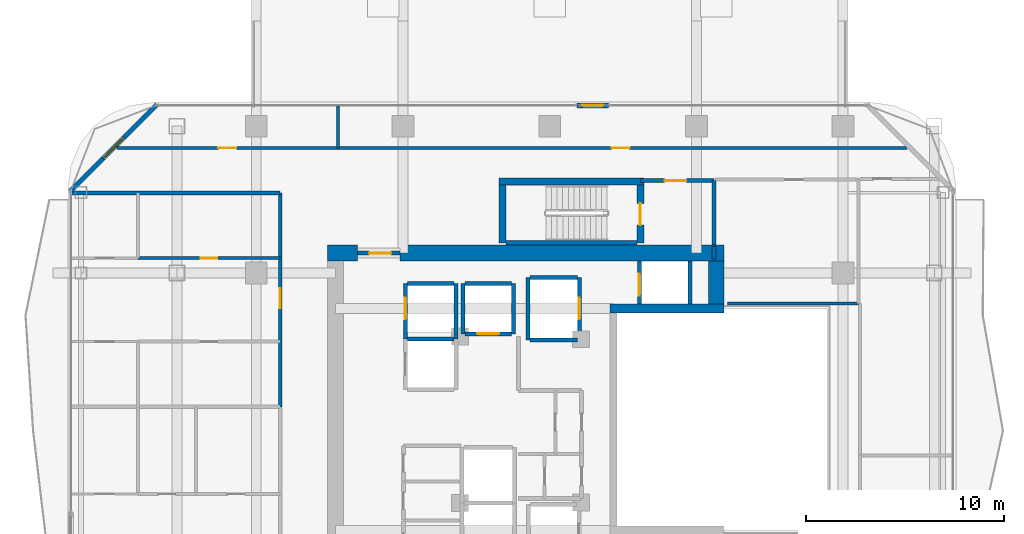
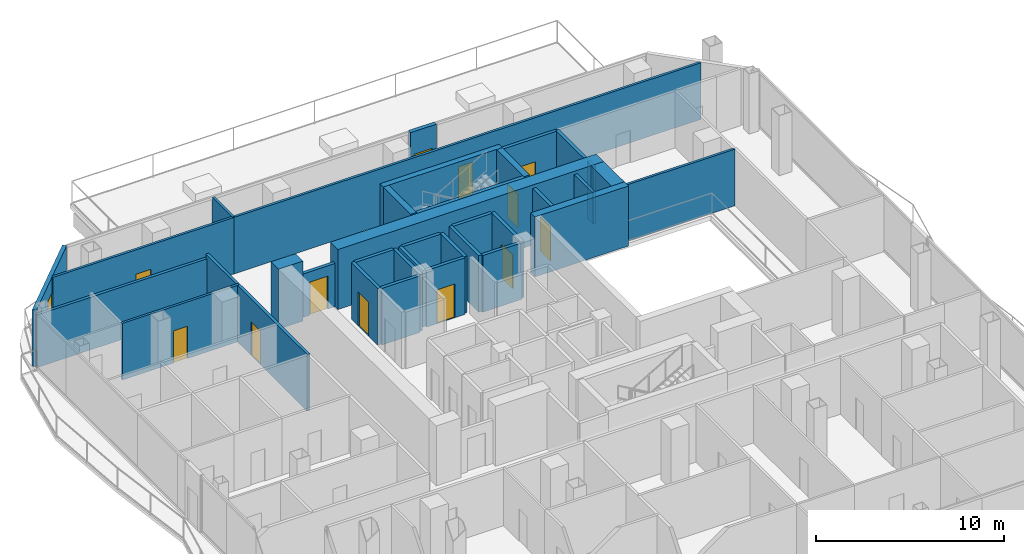
# One storey, part 20 of 24: 35 walls, 12 doors, 1 window, 13 openings.
"""IFC4 building model written with IfcOpenShell, lengths in metres."""

from ifc_helpers import new_model, si_unit, direction, frame, frame_2d, origin, place, context, subcontext, project, spatial, rectangle, extrude, material, layer, layer_set, type_object, element, fill, save


model = new_model("IFC4")

# Units and contexts
model_context = context("Model", 3, precision=1e-05, world=origin(), true_north=direction((0.0, 1.0)))
body_context = subcontext(model_context, "Body", "Model", "MODEL_VIEW")
ifc_project = project(units=[si_unit("LENGTHUNIT", "METRE"), si_unit("AREAUNIT", "SQUARE_METRE"), si_unit("VOLUMEUNIT", "CUBIC_METRE"), si_unit("PLANEANGLEUNIT", "RADIAN"), si_unit("MASSUNIT", "GRAM", prefix="KILO")], contexts=[model_context])

# Site, building, storey
site_placement = place(None, origin())
site = spatial("IfcSite", under=ifc_project, at=site_placement, CompositionType="ELEMENT")
building_placement = place(site_placement, origin())
building = spatial("IfcBuilding", under=site, at=building_placement, Name="Khorvyn Point Tower", CompositionType="ELEMENT")
storey_placement = place(building_placement, frame((0.0, 0.0, 191.39990234375)))
storey = spatial("IfcBuildingStorey", under=building, at=storey_placement, Name="L47", CompositionType="ELEMENT", Elevation=191.39990234375)

# Wall, opening, door
ifc_material_1 = material(Name="Double acoustic gypsum on twin steel stud", Category="steel")
ifc_layer_1 = layer(ifc_material_1, 0.179931640625)
ifc_layer_set_1 = layer_set([ifc_layer_1], Name="Acoustic Double-Stud Apartment Demising Wall 180")
wall_type_1 = type_object("IfcWallType", Name="Acoustic Double-Stud Apartment Demising Wall 180", PredefinedType="PARTITIONING", material=ifc_layer_set_1)
wall_1_placement = place(storey_placement, frame((-13.60009765625, 0.64404296875, 0.0), z_axis=(0.0, 0.0, 1.0), x_axis=(0.0, 1.0, 0.0)))
wall_1 = element("IfcWall", 1, at=wall_1_placement, inside=storey, type_object=wall_type_1, Name="Wall", PredefinedType="PARTITIONING", context=body_context, shape_type="SweptSolid", body=[
    extrude(rectangle(XDim=10.785888671875, YDim=0.179931640625, at=frame_2d((5.39306640625, 0.0))), origin(), (0.0, 0.0, 1.0), 3.68017578125),
])
opening_1_placement = place(wall_1_placement, frame((4.982421875, 0.0, 0.0)))
opening_1 = element("IfcOpeningElement", 2, at=opening_1_placement, cuts=wall_1, Name="Opening ID-AP60", PredefinedType="OPENING", context=body_context, shape_type="SweptSolid", body=[
    extrude(rectangle(XDim=1.0, YDim=2.199951171875, at=frame_2d((0.5, 1.10009765625))), frame((0.0, 0.099853515625, 0.0), z_axis=(0.0, -1.0, 0.0), x_axis=(1.0, 0.0, 0.0)), (0.0, 0.0, 1.0), 0.199951171875),
])
ifc_material_2 = material(Name="Engineered hardwood fire-rated leaf", Category="wood")
door_type_1 = type_object("IfcDoorType", Name="Acoustic Solid-Core Timber Apartment Entrance Door 1000x2200", OperationType="NOTDEFINED", PredefinedType="DOOR", material=ifc_material_2)
door_1_placement = place(opening_1_placement, origin())
door_1 = element("IfcDoor", 3, at=door_1_placement, inside=storey, type_object=door_type_1, Name="Door", OperationType="SINGLE_SWING_RIGHT", OverallHeight=2.199951171875, OverallWidth=1.0, PredefinedType="DOOR", context=body_context, shape_type="SweptSolid", body=[
    extrude(rectangle(XDim=1.0, YDim=2.199951171875, at=frame_2d((0.5, 1.10009765625))), frame((0.0, 0.02490234375, 0.0), z_axis=(0.0, -1.0, 0.0), x_axis=(1.0, 0.0, 0.0)), (0.0, 0.0, 1.0), 0.050048828125),
])
fill(opening_1, door_1)

# Wall
wall_2_placement = place(storey_placement, frame((-24.1298828125, 11.429931640625, 0.0), z_axis=(0.0, 0.0, 1.0), x_axis=(1.0, 0.0, 0.0)))
element("IfcWall", 4, at=wall_2_placement, inside=storey, type_object=wall_type_1, Name="Wall", PredefinedType="PARTITIONING", context=body_context, shape_type="SweptSolid", body=[
    extrude(rectangle(XDim=10.52978515625, YDim=0.179931640625, at=frame_2d((5.264892578125, 0.0))), origin(), (0.0, 0.0, 1.0), 3.420166015625),
])

# Wall, opening, door
ifc_material_3 = material(Name="Pale anodised aluminium rainscreen on steel stud", Category="steel")
ifc_layer_2 = layer(ifc_material_3, 0.239990234375)
ifc_layer_set_2 = layer_set([ifc_layer_2], Name="Anodised Aluminium Insulated Corner Spandrel Wall 240")
wall_type_2 = type_object("IfcWallType", Name="Anodised Aluminium Insulated Corner Spandrel Wall 240", PredefinedType="SOLIDWALL", material=ifc_layer_set_2)
wall_3_placement = place(storey_placement, frame((1.381103515625, 15.85009765625, 0.0), z_axis=(0.0, 0.0, 1.0), x_axis=(1.0, 0.0, 0.0)))
wall_3 = element("IfcWall", 5, at=wall_3_placement, inside=storey, type_object=wall_type_2, Name="L47 North Outdoor Threshold Wall", PredefinedType="SOLIDWALL", context=body_context, shape_type="SweptSolid", body=[
    extrude(rectangle(XDim=1.579833984375, YDim=0.239990234375, at=frame_2d((0.7900390625, 0.0))), origin(), (0.0, 0.0, 1.0), 3.68017578125),
])
opening_2_placement = place(wall_3_placement, frame((0.239990234375, 0.0, 0.0)))
opening_2 = element("IfcOpeningElement", 6, at=opening_2_placement, cuts=wall_3, Name="Opening BD-1122", PredefinedType="OPENING", context=body_context, shape_type="SweptSolid", body=[
    extrude(rectangle(XDim=1.10009765625, YDim=2.199951171875, at=frame_2d((0.550048828125, 1.10009765625))), frame((0.0, 0.1298828125, 0.0), z_axis=(0.0, -1.0, 0.0), x_axis=(1.0, 0.0, 0.0)), (0.0, 0.0, 1.0), 0.260009765625),
])
ifc_material_4 = material(Name="Anodised aluminium 6063-T6 and laminated Low-E glass", Category="aluminium")
door_type_2 = type_object("IfcDoorType", Name="Glazed Balcony and Terrace Threshold Door 1100x2200", OperationType="NOTDEFINED", PredefinedType="DOOR", material=ifc_material_4)
door_2_placement = place(opening_2_placement, origin())
door_2 = element("IfcDoor", 7, at=door_2_placement, inside=storey, type_object=door_type_2, Name="L47 North Terrace Outdoor Door", OperationType="SINGLE_SWING_LEFT", OverallHeight=2.199951171875, OverallWidth=1.10009765625, PredefinedType="DOOR", context=body_context, shape_type="SweptSolid", body=[
    extrude(rectangle(XDim=1.10009765625, YDim=2.199951171875, at=frame_2d((0.550048828125, 1.10009765625))), frame((0.0, 0.02490234375, 0.0), z_axis=(0.0, -1.0, 0.0), x_axis=(1.0, 0.0, 0.0)), (0.0, 0.0, 1.0), 0.050048828125),
])
fill(opening_2, door_2)

# Wall, opening, window
wall_4_placement = place(storey_placement, frame((-24.1923828125, 11.507568359375, 0.0), z_axis=(0.0, 0.0, 1.0), x_axis=(0.707106781187, 0.707106781187, 0.0)))
wall_4 = element("IfcWall", 8, at=wall_4_placement, inside=storey, type_object=wall_type_2, Name="L47 Rounded Corner Wall NW", PredefinedType="SOLIDWALL", context=body_context, shape_type="SweptSolid", body=[
    extrude(rectangle(XDim=6.200927734375, YDim=0.239990234375, at=frame_2d((3.1005859375, 0.0))), origin(), (0.0, 0.0, 1.0), 3.68017578125),
])
opening_3_placement = place(wall_4_placement, frame((2.3505859375, 0.0, 0.800048828125)))
opening_3 = element("IfcOpeningElement", 9, at=opening_3_placement, cuts=wall_4, Name="Opening WN-1518", PredefinedType="OPENING", context=body_context, shape_type="SweptSolid", body=[
    extrude(rectangle(XDim=1.5, YDim=1.85009765625, at=frame_2d((0.75, 0.925048828125))), frame((0.0, 0.1298828125, 0.0), z_axis=(0.0, -1.0, 0.0), x_axis=(1.0, 0.0, 0.0)), (0.0, 0.0, 1.0), 0.260009765625),
])
window_type = type_object("IfcWindowType", Name="Anodised Aluminium Rounded-Corner Panoramic Window 1500x1850", PartitioningType="SINGLE_PANEL", PredefinedType="WINDOW", material=ifc_material_4)
window_placement = place(opening_3_placement, origin())
window = element("IfcWindow", 10, at=window_placement, inside=storey, type_object=window_type, Name="L47 Corner Panoramic Window NW", OverallHeight=1.85009765625, OverallWidth=1.5, PartitioningType="SINGLE_PANEL", PredefinedType="WINDOW", context=body_context, shape_type="SweptSolid", body=[
    extrude(rectangle(XDim=1.5, YDim=1.85009765625, at=frame_2d((0.75, 0.925048828125))), frame((0.0, 0.030029296875, 0.0), z_axis=(0.0, -1.0, 0.0), x_axis=(1.0, 0.0, 0.0)), (0.0, 0.0, 1.0), 0.06005859375),
])
fill(opening_3, window)

# Wall
ifc_material_5 = material(Name="Concrete C40/50", Category="concrete")
ifc_layer_3 = layer(ifc_material_5, 0.449951171875)
ifc_layer_set_3 = layer_set([ifc_layer_3], Name="Concrete C40/50 Core Shear Wall 450")
wall_type_3 = type_object("IfcWallType", Name="Concrete C40/50 Core Shear Wall 450", PredefinedType="SHEAR", material=ifc_layer_set_3)
wall_5_placement = place(storey_placement, frame((3.044921875, 5.60009765625, 0.0), z_axis=(0.0, 0.0, 1.0), x_axis=(1.0, 0.0, 0.0)))
element("IfcWall", 11, at=wall_5_placement, inside=storey, type_object=wall_type_3, Name="Wall", PredefinedType="SHEAR", context=body_context, shape_type="SweptSolid", body=[
    extrude(rectangle(XDim=5.755126953125, YDim=0.449951171875, at=frame_2d((2.87744140625, 0.0))), origin(), (0.0, 0.0, 1.0), 3.900146484375),
])

# Wall, opening, door
ifc_layer_4 = layer(ifc_material_5, 0.199951171875)
ifc_layer_set_4 = layer_set([ifc_layer_4], Name="Concrete C40/50 Fire-Lobby Compartment Wall 200")
wall_type_4 = type_object("IfcWallType", Name="Concrete C40/50 Fire-Lobby Compartment Wall 200", PredefinedType="SOLIDWALL", material=ifc_layer_set_4)
wall_6_placement = place(storey_placement, frame((4.580078125, 12.06005859375, 0.0), z_axis=(0.0, 0.0, 1.0), x_axis=(1.0, 0.0, 0.0)))
wall_6 = element("IfcWall", 12, at=wall_6_placement, inside=storey, type_object=wall_type_4, Name="Wall", PredefinedType="SOLIDWALL", context=body_context, shape_type="SweptSolid", body=[
    extrude(rectangle(XDim=3.699951171875, YDim=0.199951171875, at=frame_2d((1.85009765625, 0.0))), origin(), (0.0, 0.0, 1.0), 3.68017578125),
])
opening_4_placement = place(wall_6_placement, frame((1.21240234375, 0.0, 0.0)))
opening_4 = element("IfcOpeningElement", 13, at=opening_4_placement, cuts=wall_6, Name="Opening ID-FL90", PredefinedType="OPENING", context=body_context, shape_type="SweptSolid", body=[
    extrude(rectangle(XDim=1.10009765625, YDim=2.14990234375, at=frame_2d((0.550048828125, 1.074951171875))), frame((0.0, 0.10986328125, 0.0), z_axis=(0.0, -1.0, 0.0), x_axis=(1.0, 0.0, 0.0)), (0.0, 0.0, 1.0), 0.219970703125),
])
ifc_material_6 = material(Name="Galvanised powder-coated steel", Category="steel")
door_type_3 = type_object("IfcDoorType", Name="Fire-Rated Steel Lobby and Stair Door 1100x2150", OperationType="NOTDEFINED", PredefinedType="DOOR", material=ifc_material_6)
door_3_placement = place(opening_4_placement, origin())
door_3 = element("IfcDoor", 14, at=door_3_placement, inside=storey, type_object=door_type_3, Name="Door", OperationType="SINGLE_SWING_LEFT", OverallHeight=2.14990234375, OverallWidth=1.10009765625, PredefinedType="DOOR", context=body_context, shape_type="SweptSolid", body=[
    extrude(rectangle(XDim=1.10009765625, YDim=2.14990234375, at=frame_2d((0.550048828125, 1.074951171875))), frame((0.0, 0.02490234375, 0.0), z_axis=(0.0, -1.0, 0.0), x_axis=(1.0, 0.0, 0.0)), (0.0, 0.0, 1.0), 0.050048828125),
])
fill(opening_4, door_3)

wall_7_placement = place(storey_placement, frame((-9.699951171875, 8.39990234375, 0.0), z_axis=(0.0, 0.0, 1.0), x_axis=(1.0, 0.0, 0.0)))
wall_7 = element("IfcWall", 15, at=wall_7_placement, inside=storey, type_object=wall_type_4, Name="Wall", PredefinedType="SOLIDWALL", context=body_context, shape_type="SweptSolid", body=[
    extrude(rectangle(XDim=2.14990234375, YDim=0.199951171875, at=frame_2d((1.074951171875, 0.0))), origin(), (0.0, 0.0, 1.0), 2.820068359375),
])
opening_5_placement = place(wall_7_placement, frame((0.597900390625, 0.0, 0.0)))
opening_5 = element("IfcOpeningElement", 16, at=opening_5_placement, cuts=wall_7, Name="Opening ID-FL90", PredefinedType="OPENING", context=body_context, shape_type="SweptSolid", body=[
    extrude(rectangle(XDim=1.10009765625, YDim=2.14990234375, at=frame_2d((0.550048828125, 1.074951171875))), frame((0.0, 0.10986328125, 0.0), z_axis=(0.0, -1.0, 0.0), x_axis=(1.0, 0.0, 0.0)), (0.0, 0.0, 1.0), 0.219970703125),
])
door_4_placement = place(opening_5_placement, origin())
door_4 = element("IfcDoor", 17, at=door_4_placement, inside=storey, type_object=door_type_3, Name="Door", OperationType="SINGLE_SWING_LEFT", OverallHeight=2.14990234375, OverallWidth=1.10009765625, PredefinedType="DOOR", context=body_context, shape_type="SweptSolid", body=[
    extrude(rectangle(XDim=1.10009765625, YDim=2.14990234375, at=frame_2d((0.550048828125, 1.074951171875))), frame((0.0, 0.02490234375, 0.0), z_axis=(0.0, -1.0, 0.0), x_axis=(1.0, 0.0, 0.0)), (0.0, 0.0, 1.0), 0.050048828125),
])
fill(opening_5, door_4)

# Walls
wall_8_placement = place(storey_placement, frame((8.280029296875, 8.800048828125, 0.0), z_axis=(0.0, 0.0, 1.0), x_axis=(0.0, 1.0, 0.0)))
element("IfcWall", 18, at=wall_8_placement, inside=storey, type_object=wall_type_4, Name="Wall", PredefinedType="SOLIDWALL", context=body_context, shape_type="SweptSolid", body=[
    extrude(rectangle(XDim=3.260009765625, YDim=0.199951171875, at=frame_2d((1.6298828125, 0.0))), origin(), (0.0, 0.0, 1.0), 3.68017578125),
])
wall_9_placement = place(storey_placement, frame((8.280029296875, 8.10009765625, 0.0), z_axis=(0.0, 0.0, 1.0), x_axis=(0.0, 1.0, 0.0)))
element("IfcWall", 19, at=wall_9_placement, inside=storey, type_object=wall_type_4, Name="Wall", PredefinedType="SOLIDWALL", context=body_context, shape_type="SweptSolid", body=[
    extrude(rectangle(XDim=0.625, YDim=0.199951171875, at=frame_2d((0.3125, 0.0))), origin(), (0.0, 0.0, 1.0), 3.68017578125),
])
ifc_layer_5 = layer(ifc_material_5, 0.25)
ifc_layer_set_5 = layer_set([ifc_layer_5], Name="Concrete C40/50 Stair Inner Cheek Structural Wall 250")
wall_type_5 = type_object("IfcWallType", Name="Concrete C40/50 Stair Inner Cheek Structural Wall 250", PredefinedType="SHEAR", material=ifc_layer_set_5)
wall_10_placement = place(storey_placement, frame((-2.199951171875, 8.91259765625, 0.0), z_axis=(0.0, 0.0, 1.0), x_axis=(1.0, 0.0, 0.0)))
element("IfcWall", 20, at=wall_10_placement, inside=storey, type_object=wall_type_5, Name="Wall", PredefinedType="SHEAR", context=body_context, shape_type="SweptSolid", body=[
    extrude(rectangle(XDim=6.599853515625, YDim=0.22509765625, at=frame_2d((3.2998046875, 0.0))), origin(), (0.0, 0.0, 1.0), 3.900146484375),
])
ifc_layer_6 = layer(ifc_material_5, 0.35009765625)
ifc_layer_set_6 = layer_set([ifc_layer_6], Name="Concrete C40/50 Stair Shaft Structural Wall 350")
wall_type_6 = type_object("IfcWallType", Name="Concrete C40/50 Stair Shaft Structural Wall 350", PredefinedType="SHEAR", material=ifc_layer_set_6)
wall_11_placement = place(storey_placement, frame((-2.554931640625, 12.0, 0.0), z_axis=(0.0, 0.0, 1.0), x_axis=(1.0, 0.0, 0.0)))
element("IfcWall", 21, at=wall_11_placement, inside=storey, type_object=wall_type_6, Name="L47 ST-02 North Shaft Wall", PredefinedType="SHEAR", context=body_context, shape_type="SweptSolid", body=[
    extrude(rectangle(XDim=7.309814453125, YDim=0.35009765625, at=frame_2d((3.65478515625, 0.0))), origin(), (0.0, 0.0, 1.0), 3.900146484375),
])
wall_12_placement = place(storey_placement, frame((-2.3798828125, 8.89990234375, 0.0), z_axis=(0.0, 0.0, 1.0), x_axis=(0.0, 1.0, 0.0)))
element("IfcWall", 22, at=wall_12_placement, inside=storey, type_object=wall_type_6, Name="L47 ST-02 West Shaft Wall", PredefinedType="SHEAR", context=body_context, shape_type="SweptSolid", body=[
    extrude(rectangle(XDim=2.925048828125, YDim=0.35009765625, at=frame_2d((1.46240234375, 0.0))), origin(), (0.0, 0.0, 1.0), 3.900146484375),
])

# Wall, opening, door
wall_13_placement = place(storey_placement, frame((4.580078125, 11.824951171875, 0.0), z_axis=(0.0, 0.0, 1.0), x_axis=(0.0, -1.0, 0.0)))
wall_13 = element("IfcWall", 23, at=wall_13_placement, inside=storey, type_object=wall_type_6, Name="L47 ST-02 East Landing Door Wall", PredefinedType="SHEAR", context=body_context, shape_type="SweptSolid", body=[
    extrude(rectangle(XDim=2.925048828125, YDim=0.35009765625, at=frame_2d((1.46240234375, 0.0))), origin(), (0.0, 0.0, 1.0), 3.900146484375),
])
opening_6_placement = place(wall_13_placement, frame((0.91259765625, 0.0, 0.0)))
opening_6 = element("IfcOpeningElement", 24, at=opening_6_placement, cuts=wall_13, Name="Opening ID-FL90", PredefinedType="OPENING", context=body_context, shape_type="SweptSolid", body=[
    extrude(rectangle(XDim=1.10009765625, YDim=2.14990234375, at=frame_2d((0.550048828125, 1.074951171875))), frame((0.0, 0.18505859375, 0.0), z_axis=(0.0, -1.0, 0.0), x_axis=(1.0, 0.0, 0.0)), (0.0, 0.0, 1.0), 0.3701171875),
])
door_5_placement = place(opening_6_placement, origin())
door_5 = element("IfcDoor", 25, at=door_5_placement, inside=storey, type_object=door_type_3, Name="L47 ST-02 Smokeproof Landing Door", OperationType="SINGLE_SWING_RIGHT", OverallHeight=2.14990234375, OverallWidth=1.10009765625, PredefinedType="DOOR", context=body_context, shape_type="SweptSolid", body=[
    extrude(rectangle(XDim=1.10009765625, YDim=2.14990234375, at=frame_2d((0.550048828125, 1.074951171875))), frame((0.0, 0.02490234375, 0.0), z_axis=(0.0, -1.0, 0.0), x_axis=(1.0, 0.0, 0.0)), (0.0, 0.0, 1.0), 0.050048828125),
])
fill(opening_6, door_5)

# Wall
ifc_layer_7 = layer(ifc_material_5, 0.199951171875)
ifc_layer_set_7 = layer_set([ifc_layer_7], Name="Concrete C40/50 Structural Hoistway and Stair Shaft Wall 200")
wall_type_7 = type_object("IfcWallType", Name="Concrete C40/50 Structural Hoistway and Stair Shaft Wall 200", PredefinedType="SHEAR", material=ifc_layer_set_7)
wall_14_placement = place(storey_placement, frame((-7.175048828125, 4.074951171875, 0.0), z_axis=(0.0, 0.0, 1.0), x_axis=(1.0, 0.0, 0.0)))
element("IfcWall", 26, at=wall_14_placement, inside=storey, type_object=wall_type_7, Name="Wall", PredefinedType="SHEAR", context=body_context, shape_type="SweptSolid", body=[
    extrude(rectangle(XDim=2.35009765625, YDim=0.199951171875, at=frame_2d((1.175048828125, 0.0))), origin(), (0.0, 0.0, 1.0), 3.68017578125),
])

# Wall, opening, door
wall_15_placement = place(storey_placement, frame((-7.27490234375, 4.074951171875, 0.0), z_axis=(0.0, 0.0, 1.0), x_axis=(0.0, 1.0, 0.0)))
wall_15 = element("IfcWall", 27, at=wall_15_placement, inside=storey, type_object=wall_type_7, Name="Wall", PredefinedType="SHEAR", context=body_context, shape_type="SweptSolid", body=[
    extrude(rectangle(XDim=2.800048828125, YDim=0.199951171875, at=frame_2d((1.39990234375, 0.0))), origin(), (0.0, 0.0, 1.0), 3.68017578125),
])
opening_7_placement = place(wall_15_placement, frame((0.97509765625, 0.0, 0.0)))
opening_7 = element("IfcOpeningElement", 28, at=opening_7_placement, cuts=wall_15, Name="Opening LD-1122", PredefinedType="OPENING", context=body_context, shape_type="SweptSolid", body=[
    extrude(rectangle(XDim=1.10009765625, YDim=2.199951171875, at=frame_2d((0.550048828125, 1.10009765625))), frame((0.0, 0.10986328125, 0.0), z_axis=(0.0, -1.0, 0.0), x_axis=(1.0, 0.0, 0.0)), (0.0, 0.0, 1.0), 0.219970703125),
])
ifc_material_7 = material(Name="Stainless steel 1.4301", Category="steel")
door_type_4 = type_object("IfcDoorType", Name="Stainless Steel Automatic Sliding Lift Landing Door 1100x2200", OperationType="SLIDING_TO_LEFT", PredefinedType="DOOR", material=ifc_material_7)
door_6_placement = place(opening_7_placement, origin())
door_6 = element("IfcDoor", 29, at=door_6_placement, inside=storey, type_object=door_type_4, Name="L47 RM-02 Sliding Lift Landing Door", OperationType="SLIDING_TO_LEFT", OverallHeight=2.199951171875, OverallWidth=1.10009765625, PredefinedType="DOOR", context=body_context, shape_type="SweptSolid", body=[
    extrude(rectangle(XDim=1.10009765625, YDim=2.199951171875, at=frame_2d((0.550048828125, 1.10009765625))), frame((0.0, 0.02490234375, 0.0), z_axis=(0.0, -1.0, 0.0), x_axis=(1.0, 0.0, 0.0)), (0.0, 0.0, 1.0), 0.050048828125),
])
fill(opening_7, door_6)

# Walls
wall_16_placement = place(storey_placement, frame((-4.72509765625, 4.074951171875, 0.0), z_axis=(0.0, 0.0, 1.0), x_axis=(0.0, 1.0, 0.0)))
element("IfcWall", 30, at=wall_16_placement, inside=storey, type_object=wall_type_7, Name="Wall", PredefinedType="SHEAR", context=body_context, shape_type="SweptSolid", body=[
    extrude(rectangle(XDim=2.800048828125, YDim=0.199951171875, at=frame_2d((1.39990234375, 0.0))), origin(), (0.0, 0.0, 1.0), 3.68017578125),
])
wall_17_placement = place(storey_placement, frame((-7.175048828125, 6.875, 0.0), z_axis=(0.0, 0.0, 1.0), x_axis=(1.0, 0.0, 0.0)))
element("IfcWall", 31, at=wall_17_placement, inside=storey, type_object=wall_type_7, Name="Wall", PredefinedType="SHEAR", context=body_context, shape_type="SweptSolid", body=[
    extrude(rectangle(XDim=2.35009765625, YDim=0.199951171875, at=frame_2d((1.175048828125, 0.0))), origin(), (0.0, 0.0, 1.0), 3.68017578125),
])
for number, where, z_axis, x_axis, name in (
    (32, (-4.375, 4.324951171875, 0.0), (0.0, 0.0, 1.0), (0.0, 1.0, 0.0), "Wall"),
    (33, (-1.824951171875, 4.324951171875, 0.0), (0.0, 0.0, 1.0), (0.0, 1.0, 0.0), "Wall"),
):
    element("IfcWall", number, at=place(storey_placement, frame(where, z_axis=z_axis, x_axis=x_axis)), inside=storey, type_object=wall_type_7, Name=name, PredefinedType="SHEAR", context=body_context, shape_type="SweptSolid", body=[
        extrude(rectangle(XDim=2.550048828125, YDim=0.199951171875, at=frame_2d((1.27490234375, 0.0))), origin(), (0.0, 0.0, 1.0), 3.68017578125),
    ])

# Wall, opening, door
wall_18_placement = place(storey_placement, frame((-4.27490234375, 4.324951171875, 0.0), z_axis=(0.0, 0.0, 1.0), x_axis=(1.0, 0.0, 0.0)))
wall_18 = element("IfcWall", 34, at=wall_18_placement, inside=storey, type_object=wall_type_7, Name="Wall", PredefinedType="SHEAR", context=body_context, shape_type="SweptSolid", body=[
    extrude(rectangle(XDim=2.349853515625, YDim=0.199951171875, at=frame_2d((1.1748046875, 0.0))), origin(), (0.0, 0.0, 1.0), 3.68017578125),
])
opening_8_placement = place(wall_18_placement, frame((0.625, 0.0, 0.0)))
opening_8 = element("IfcOpeningElement", 35, at=opening_8_placement, cuts=wall_18, Name="Opening LD-1122", PredefinedType="OPENING", context=body_context, shape_type="SweptSolid", body=[
    extrude(rectangle(XDim=1.10009765625, YDim=2.199951171875, at=frame_2d((0.550048828125, 1.10009765625))), frame((0.0, 0.10986328125, 0.0), z_axis=(0.0, -1.0, 0.0), x_axis=(1.0, 0.0, 0.0)), (0.0, 0.0, 1.0), 0.219970703125),
])
door_7_placement = place(opening_8_placement, origin())
door_7 = element("IfcDoor", 36, at=door_7_placement, inside=storey, type_object=door_type_4, Name="L47 RM-03 Sliding Lift Landing Door", OperationType="SLIDING_TO_LEFT", OverallHeight=2.199951171875, OverallWidth=1.10009765625, PredefinedType="DOOR", context=body_context, shape_type="SweptSolid", body=[
    extrude(rectangle(XDim=1.10009765625, YDim=2.199951171875, at=frame_2d((0.550048828125, 1.10009765625))), frame((0.0, 0.02490234375, 0.0), z_axis=(0.0, -1.0, 0.0), x_axis=(1.0, 0.0, 0.0)), (0.0, 0.0, 1.0), 0.050048828125),
])
fill(opening_8, door_7)

# Walls
wall_19_placement = place(storey_placement, frame((-4.27490234375, 6.875, 0.0), z_axis=(0.0, 0.0, 1.0), x_axis=(1.0, 0.0, 0.0)))
element("IfcWall", 37, at=wall_19_placement, inside=storey, type_object=wall_type_7, Name="Wall", PredefinedType="SHEAR", context=body_context, shape_type="SweptSolid", body=[
    extrude(rectangle(XDim=2.349853515625, YDim=0.199951171875, at=frame_2d((1.1748046875, 0.0))), origin(), (0.0, 0.0, 1.0), 3.68017578125),
])
wall_20_placement = place(storey_placement, frame((-1.10009765625, 4.02490234375, 0.0), z_axis=(0.0, 0.0, 1.0), x_axis=(0.0, 1.0, 0.0)))
element("IfcWall", 38, at=wall_20_placement, inside=storey, type_object=wall_type_7, Name="Wall", PredefinedType="SHEAR", context=body_context, shape_type="SweptSolid", body=[
    extrude(rectangle(XDim=3.150146484375, YDim=0.199951171875, at=frame_2d((1.5751953125, 0.0))), origin(), (0.0, 0.0, 1.0), 3.68017578125),
])

# Wall, opening, door
wall_21_placement = place(storey_placement, frame((1.5, 4.02490234375, 0.0), z_axis=(0.0, 0.0, 1.0), x_axis=(0.0, 1.0, 0.0)))
wall_21 = element("IfcWall", 39, at=wall_21_placement, inside=storey, type_object=wall_type_7, Name="Wall", PredefinedType="SHEAR", context=body_context, shape_type="SweptSolid", body=[
    extrude(rectangle(XDim=3.150146484375, YDim=0.199951171875, at=frame_2d((1.5751953125, 0.0))), origin(), (0.0, 0.0, 1.0), 3.68017578125),
])
opening_9_placement = place(wall_21_placement, frame((1.02490234375, 0.0, 0.0)))
opening_9 = element("IfcOpeningElement", 40, at=opening_9_placement, cuts=wall_21, Name="Opening LD-1122", PredefinedType="OPENING", context=body_context, shape_type="SweptSolid", body=[
    extrude(rectangle(XDim=1.10009765625, YDim=2.199951171875, at=frame_2d((0.550048828125, 1.10009765625))), frame((0.0, 0.10986328125, 0.0), z_axis=(0.0, -1.0, 0.0), x_axis=(1.0, 0.0, 0.0)), (0.0, 0.0, 1.0), 0.219970703125),
])
door_8_placement = place(opening_9_placement, origin())
door_8 = element("IfcDoor", 41, at=door_8_placement, inside=storey, type_object=door_type_4, Name="L47 SV-01 Sliding Lift Landing Door", OperationType="SLIDING_TO_LEFT", OverallHeight=2.199951171875, OverallWidth=1.10009765625, PredefinedType="DOOR", context=body_context, shape_type="SweptSolid", body=[
    extrude(rectangle(XDim=1.10009765625, YDim=2.199951171875, at=frame_2d((0.550048828125, 1.10009765625))), frame((0.0, 0.02490234375, 0.0), z_axis=(0.0, -1.0, 0.0), x_axis=(1.0, 0.0, 0.0)), (0.0, 0.0, 1.0), 0.050048828125),
])
fill(opening_9, door_8)

# Walls
for number, where, z_axis, x_axis, name in (
    (42, (-1.0, 4.02490234375, 0.0), (0.0, 0.0, 1.0), (1.0, 0.0, 0.0), "Wall"),
    (43, (-1.0, 7.175048828125, 0.0), (0.0, 0.0, 1.0), (1.0, 0.0, 0.0), "Wall"),
):
    element("IfcWall", number, at=place(storey_placement, frame(where, z_axis=z_axis, x_axis=x_axis)), inside=storey, type_object=wall_type_7, Name=name, PredefinedType="SHEAR", context=body_context, shape_type="SweptSolid", body=[
        extrude(rectangle(XDim=2.39990234375, YDim=0.199951171875, at=frame_2d((1.199951171875, 0.0))), origin(), (0.0, 0.0, 1.0), 3.68017578125),
    ])

# Wall, opening, door
wall_22_placement = place(storey_placement, frame((4.52490234375, 5.824951171875, 0.0), z_axis=(0.0, 0.0, 1.0), x_axis=(0.0, 1.0, 0.0)))
wall_22 = element("IfcWall", 44, at=wall_22_placement, inside=storey, type_object=wall_type_7, Name="Wall", PredefinedType="SHEAR", context=body_context, shape_type="SweptSolid", body=[
    extrude(rectangle(XDim=2.175048828125, YDim=0.199951171875, at=frame_2d((1.08740234375, 0.0))), origin(), (0.0, 0.0, 1.0), 3.68017578125),
])
opening_10_placement = place(wall_22_placement, frame((0.425048828125, 0.0, 0.0)))
opening_10 = element("IfcOpeningElement", 45, at=opening_10_placement, cuts=wall_22, Name="Opening LD-1122", PredefinedType="OPENING", context=body_context, shape_type="SweptSolid", body=[
    extrude(rectangle(XDim=1.10009765625, YDim=2.199951171875, at=frame_2d((0.550048828125, 1.10009765625))), frame((0.0, 0.10986328125, 0.0), z_axis=(0.0, -1.0, 0.0), x_axis=(1.0, 0.0, 0.0)), (0.0, 0.0, 1.0), 0.219970703125),
])
door_9_placement = place(opening_10_placement, origin())
door_9 = element("IfcDoor", 46, at=door_9_placement, inside=storey, type_object=door_type_4, Name="L47 FF-02 Sliding Lift Landing Door", OperationType="SLIDING_TO_LEFT", OverallHeight=2.199951171875, OverallWidth=1.10009765625, PredefinedType="DOOR", context=body_context, shape_type="SweptSolid", body=[
    extrude(rectangle(XDim=1.10009765625, YDim=2.199951171875, at=frame_2d((0.550048828125, 1.10009765625))), frame((0.0, 0.02490234375, 0.0), z_axis=(0.0, -1.0, 0.0), x_axis=(1.0, 0.0, 0.0)), (0.0, 0.0, 1.0), 0.050048828125),
])
fill(opening_10, door_9)

# Walls
wall_23_placement = place(storey_placement, frame((7.074951171875, 5.824951171875, 0.0), z_axis=(0.0, 0.0, 1.0), x_axis=(0.0, 1.0, 0.0)))
element("IfcWall", 47, at=wall_23_placement, inside=storey, type_object=wall_type_7, Name="Wall", PredefinedType="SHEAR", context=body_context, shape_type="SweptSolid", body=[
    extrude(rectangle(XDim=2.175048828125, YDim=0.199951171875, at=frame_2d((1.08740234375, 0.0))), origin(), (0.0, 0.0, 1.0), 3.68017578125),
])
ifc_material_8 = material(Name="Concrete C45/55", Category="concrete")
ifc_layer_8 = layer(ifc_material_8, 0.800048828125)
ifc_layer_set_8 = layer_set([ifc_layer_8], Name="Concrete C45/55 Core Shear Wall 800")
wall_type_8 = type_object("IfcWallType", Name="Concrete C45/55 Core Shear Wall 800", PredefinedType="SHEAR", material=ifc_layer_set_8)
wall_24_placement = place(storey_placement, frame((-11.199951171875, 8.39990234375, 0.0), z_axis=(0.0, 0.0, 1.0), x_axis=(1.0, 0.0, 0.0)))
element("IfcWall", 48, at=wall_24_placement, inside=storey, type_object=wall_type_8, Name="Wall", PredefinedType="SHEAR", context=body_context, shape_type="SweptSolid", body=[
    extrude(rectangle(XDim=1.5, YDim=0.800048828125, at=frame_2d((0.75, 0.0))), origin(), (0.0, 0.0, 1.0), 3.900146484375),
])
wall_25_placement = place(storey_placement, frame((-7.550048828125, 8.39990234375, 0.0), z_axis=(0.0, 0.0, 1.0), x_axis=(1.0, 0.0, 0.0)))
element("IfcWall", 49, at=wall_25_placement, inside=storey, type_object=wall_type_8, Name="Wall", PredefinedType="SHEAR", context=body_context, shape_type="SweptSolid", body=[
    extrude(rectangle(XDim=16.35009765625, YDim=0.800048828125, at=frame_2d((8.175048828125, 0.0))), origin(), (0.0, 0.0, 1.0), 3.900146484375),
])
wall_26_placement = place(storey_placement, frame((8.39990234375, 5.824951171875, 0.0), z_axis=(0.0, 0.0, 1.0), x_axis=(0.0, 1.0, 0.0)))
element("IfcWall", 50, at=wall_26_placement, inside=storey, type_object=wall_type_8, Name="Wall", PredefinedType="SHEAR", context=body_context, shape_type="SweptSolid", body=[
    extrude(rectangle(XDim=2.175048828125, YDim=0.800048828125, at=frame_2d((1.08740234375, 0.0))), origin(), (0.0, 0.0, 1.0), 3.900146484375),
])

# Wall, opening, door
ifc_material_9 = material(Name="Moisture-resistant gypsum and cement board", Category="gypsum")
ifc_layer_9 = layer(ifc_material_9, 0.14990234375)
ifc_layer_set_9 = layer_set([ifc_layer_9], Name="Moisture-Resistant Wet-Room Partition Wall 150")
wall_type_9 = type_object("IfcWallType", Name="Moisture-Resistant Wet-Room Partition Wall 150", PredefinedType="PARTITIONING", material=ifc_layer_set_9)
wall_27_placement = place(storey_placement, frame((-21.830078125, 13.699951171875, 0.0), z_axis=(0.0, 0.0, 1.0), x_axis=(1.0, 0.0, 0.0)))
wall_27 = element("IfcWall", 51, at=wall_27_placement, inside=storey, type_object=wall_type_9, Name="Wall", PredefinedType="PARTITIONING", context=body_context, shape_type="SweptSolid", body=[
    extrude(rectangle(XDim=11.14306640625, YDim=0.14990234375, at=frame_2d((5.571533203125, 0.0))), origin(), (0.0, 0.0, 1.0), 3.68017578125),
])
opening_11_placement = place(wall_27_placement, frame((5.12158203125, 0.0, 0.0)))
opening_11 = element("IfcOpeningElement", 52, at=opening_11_placement, cuts=wall_27, Name="Opening ID-RM90", PredefinedType="OPENING", context=body_context, shape_type="SweptSolid", body=[
    extrude(rectangle(XDim=0.89990234375, YDim=2.10009765625, at=frame_2d((0.449951171875, 1.050048828125))), frame((0.0, 0.0849609375, 0.0), z_axis=(0.0, -1.0, 0.0), x_axis=(1.0, 0.0, 0.0)), (0.0, 0.0, 1.0), 0.169921875),
])
ifc_material_10 = material(Name="Engineered oak veneer timber", Category="wood")
door_type_5 = type_object("IfcDoorType", Name="Flush Engineered Timber Room Door 900x2100", OperationType="NOTDEFINED", PredefinedType="DOOR", material=ifc_material_10)
door_10_placement = place(opening_11_placement, origin())
door_10 = element("IfcDoor", 53, at=door_10_placement, inside=storey, type_object=door_type_5, Name="Door", OperationType="SINGLE_SWING_LEFT", OverallHeight=2.10009765625, OverallWidth=0.89990234375, PredefinedType="DOOR", context=body_context, shape_type="SweptSolid", body=[
    extrude(rectangle(XDim=0.89990234375, YDim=2.10009765625, at=frame_2d((0.449951171875, 1.050048828125))), frame((0.0, 0.02490234375, 0.0), z_axis=(0.0, -1.0, 0.0), x_axis=(1.0, 0.0, 0.0)), (0.0, 0.0, 1.0), 0.050048828125),
])
fill(opening_11, door_10)

wall_28_placement = place(storey_placement, frame((-10.68701171875, 13.699951171875, 0.0), z_axis=(0.0, 0.0, 1.0), x_axis=(1.0, 0.0, 0.0)))
wall_28 = element("IfcWall", 54, at=wall_28_placement, inside=storey, type_object=wall_type_9, Name="Wall", PredefinedType="PARTITIONING", context=body_context, shape_type="SweptSolid", body=[
    extrude(rectangle(XDim=28.717041015625, YDim=0.14990234375, at=frame_2d((14.3583984375, 0.0))), origin(), (0.0, 0.0, 1.0), 3.68017578125),
])
opening_12_placement = place(wall_28_placement, frame((13.818603515625, 0.0, 0.0)))
opening_12 = element("IfcOpeningElement", 55, at=opening_12_placement, cuts=wall_28, Name="Opening ID-RM90", PredefinedType="OPENING", context=body_context, shape_type="SweptSolid", body=[
    extrude(rectangle(XDim=0.89990234375, YDim=2.10009765625, at=frame_2d((0.449951171875, 1.050048828125))), frame((0.0, 0.0849609375, 0.0), z_axis=(0.0, -1.0, 0.0), x_axis=(1.0, 0.0, 0.0)), (0.0, 0.0, 1.0), 0.169921875),
])
door_11_placement = place(opening_12_placement, origin())
door_11 = element("IfcDoor", 56, at=door_11_placement, inside=storey, type_object=door_type_5, Name="Door", OperationType="SINGLE_SWING_RIGHT", OverallHeight=2.10009765625, OverallWidth=0.89990234375, PredefinedType="DOOR", context=body_context, shape_type="SweptSolid", body=[
    extrude(rectangle(XDim=0.89990234375, YDim=2.10009765625, at=frame_2d((0.449951171875, 1.050048828125))), frame((0.0, 0.02490234375, 0.0), z_axis=(0.0, -1.0, 0.0), x_axis=(1.0, 0.0, 0.0)), (0.0, 0.0, 1.0), 0.050048828125),
])
fill(opening_12, door_11)

wall_29_placement = place(storey_placement, frame((-20.76904296875, 8.14599609375, 0.0), z_axis=(0.0, 0.0, 1.0), x_axis=(1.0, 0.0, 0.0)))
wall_29 = element("IfcWall", 57, at=wall_29_placement, inside=storey, type_object=wall_type_9, Name="Wall", PredefinedType="PARTITIONING", context=body_context, shape_type="SweptSolid", body=[
    extrude(rectangle(XDim=7.1689453125, YDim=0.14990234375, at=frame_2d((3.58447265625, 0.0))), origin(), (0.0, 0.0, 1.0), 3.68017578125),
])
opening_13_placement = place(wall_29_placement, frame((3.159423828125, 0.0, 0.0)))
opening_13 = element("IfcOpeningElement", 58, at=opening_13_placement, cuts=wall_29, Name="Opening ID-WC85", PredefinedType="OPENING", context=body_context, shape_type="SweptSolid", body=[
    extrude(rectangle(XDim=0.85009765625, YDim=2.10009765625, at=frame_2d((0.425048828125, 1.050048828125))), frame((0.0, 0.0849609375, 0.0), z_axis=(0.0, -1.0, 0.0), x_axis=(1.0, 0.0, 0.0)), (0.0, 0.0, 1.0), 0.169921875),
])
ifc_material_11 = material(Name="High-pressure laminate on moisture-resistant core", Category="wood")
door_type_6 = type_object("IfcDoorType", Name="Moisture-Resistant Accessible Washroom Door 850x2100", OperationType="NOTDEFINED", PredefinedType="DOOR", material=ifc_material_11)
door_12_placement = place(opening_13_placement, origin())
door_12 = element("IfcDoor", 59, at=door_12_placement, inside=storey, type_object=door_type_6, Name="Door", OperationType="SINGLE_SWING_LEFT", OverallHeight=2.10009765625, OverallWidth=0.85009765625, PredefinedType="DOOR", context=body_context, shape_type="SweptSolid", body=[
    extrude(rectangle(XDim=0.85009765625, YDim=2.10009765625, at=frame_2d((0.425048828125, 1.050048828125))), frame((0.0, 0.02490234375, 0.0), z_axis=(0.0, -1.0, 0.0), x_axis=(1.0, 0.0, 0.0)), (0.0, 0.0, 1.0), 0.050048828125),
])
fill(opening_13, door_12)

# Walls
wall_30_placement = place(storey_placement, frame((8.9599609375, 5.85009765625, 0.0), z_axis=(0.0, 0.0, 1.0), x_axis=(1.0, 0.0, 0.0)))
element("IfcWall", 60, at=wall_30_placement, inside=storey, type_object=wall_type_9, Name="Wall", PredefinedType="PARTITIONING", context=body_context, shape_type="SweptSolid", body=[
    extrude(rectangle(XDim=6.6201171875, YDim=0.14990234375, at=frame_2d((3.31005859375, 0.0))), origin(), (0.0, 0.0, 1.0), 3.68017578125),
])
wall_31_placement = place(storey_placement, frame((-10.68701171875, 13.699951171875, 0.0), z_axis=(0.0, 0.0, 1.0), x_axis=(0.0, 1.0, 0.0)))
element("IfcWall", 61, at=wall_31_placement, inside=storey, type_object=wall_type_9, Name="Wall", PredefinedType="PARTITIONING", context=body_context, shape_type="SweptSolid", body=[
    extrude(rectangle(XDim=2.130126953125, YDim=0.14990234375, at=frame_2d((1.06494140625, 0.0))), origin(), (0.0, 0.0, 1.0), 3.68017578125),
])

save(model, "model.ifc")
